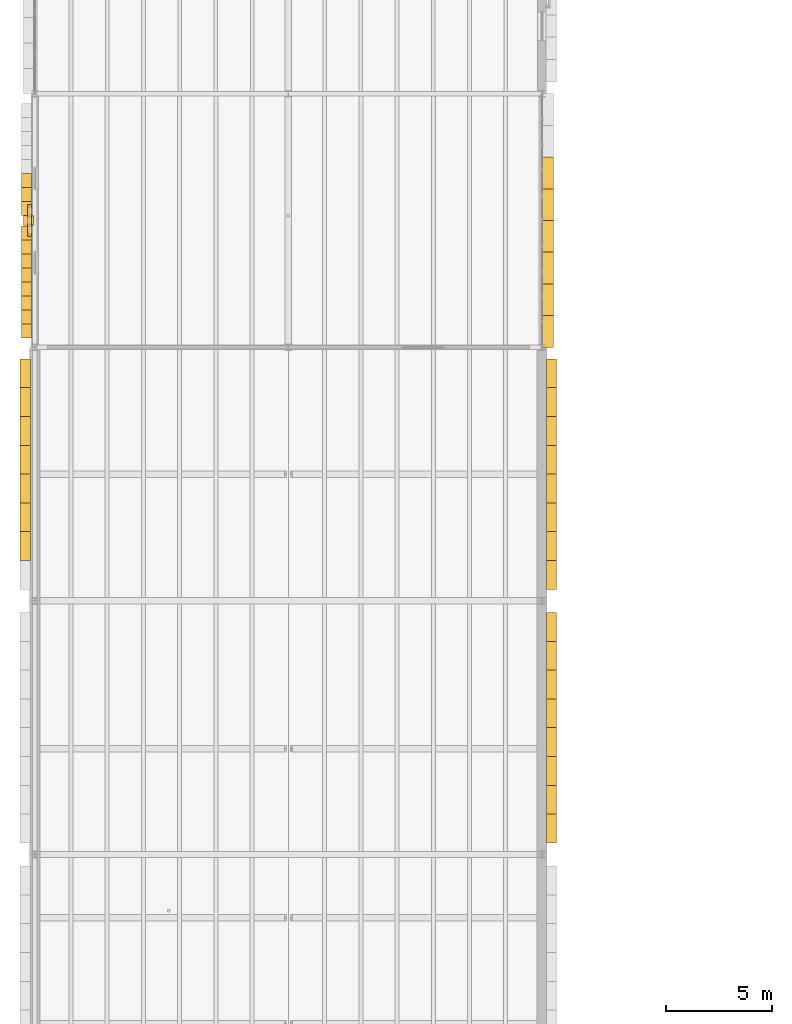
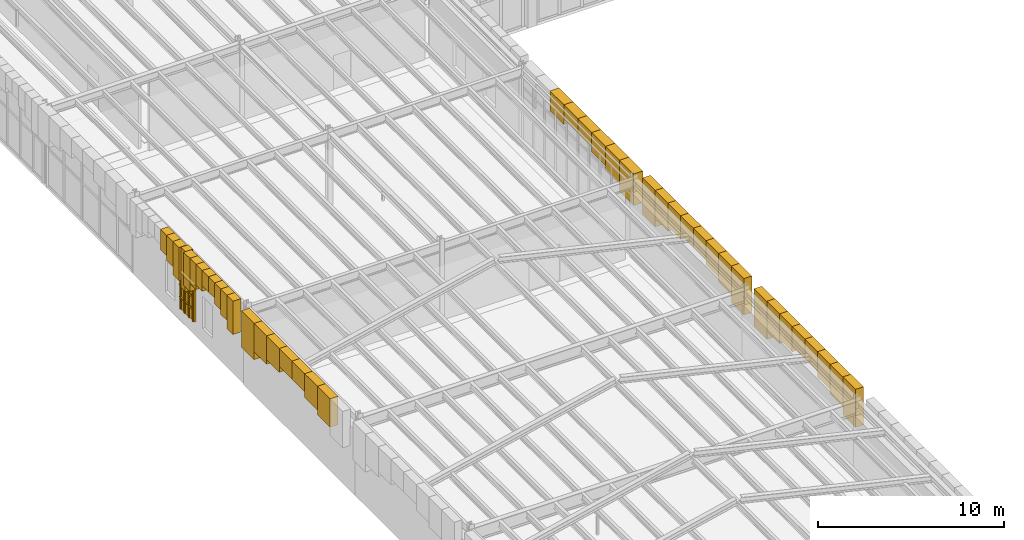
# One storey, part 74 of 100: 48 coverings, 1 shading device.
"""IFC4 building model written with IfcOpenShell, lengths in metres."""

from ifc_helpers import new_model, si_unit, direction, frame, origin, origin_2d, place, context, subcontext, project, spatial, polyline, rectangle, outline, extrude, material, layer, layer_set, type_object, element, save


model = new_model("IFC4")

# Units and contexts
model_context = context("Model", 3, precision=1e-05, world=origin(), true_north=direction((0.0, 1.0)))
body_context = subcontext(model_context, "Body", "Model", "MODEL_VIEW")
ifc_project = project(units=[si_unit("LENGTHUNIT", "METRE"), si_unit("AREAUNIT", "SQUARE_METRE"), si_unit("VOLUMEUNIT", "CUBIC_METRE"), si_unit("PLANEANGLEUNIT", "RADIAN"), si_unit("MASSUNIT", "GRAM", prefix="KILO")], contexts=[model_context])

# Site, building, storey
site_placement = place(None, origin())
site = spatial("IfcSite", under=ifc_project, at=site_placement, CompositionType="ELEMENT")
building_placement = place(site_placement, origin())
building = spatial("IfcBuilding", under=site, at=building_placement, Name="Zlatogorsky Bluff Art Gallery", CompositionType="ELEMENT")
storey_placement = place(building_placement, frame((0.0, 0.0, 5.39990234375)))
storey = spatial("IfcBuildingStorey", under=building, at=storey_placement, Name="L01", CompositionType="ELEMENT", Elevation=5.39990234375)

# Coverings
ifc_material_1 = material(Name="Honed Red Agra-Tone Quartzitic Sandstone", Category="masonry")
ifc_layer = layer(ifc_material_1, 0.1201171875)
ifc_layer_set = layer_set([ifc_layer], Name="Carved Sandstone Cladding CLD-02")
covering_type = type_object("IfcCoveringType", Name="Carved Sandstone Cladding CLD-02", PredefinedType="CLADDING", material=ifc_layer_set)
covering_1_placement = place(storey_placement, frame((0.0, 0.0, 3.50390625)))
element("IfcCovering", 1, at=covering_1_placement, inside=storey, type_object=covering_type, Name="Pointed Mughal arch voussoir spandrel WARCH-L01-W-00-05-A.2", PredefinedType="CLADDING", context=body_context, shape_type="SweptSolid", body=[
    extrude(outline(polyline([(-0.699951171875, 52.3125), (-0.699951171875, 53.675048828125), (-0.2099609375, 53.675048828125), (-0.2099609375, 52.3125), (-0.699951171875, 52.3125)])), origin(), (0.0, 0.0, 1.0), 1.856201171875),
])
covering_2_placement = place(storey_placement, frame((0.0, 0.0, 3.796875)))
element("IfcCovering", 2, at=covering_2_placement, inside=storey, type_object=covering_type, Name="Pointed Mughal arch voussoir spandrel WARCH-L01-W-00-05-A.3", PredefinedType="CLADDING", context=body_context, shape_type="SweptSolid", body=[
    extrude(outline(polyline([(-0.699951171875, 53.675048828125), (-0.699951171875, 55.03759765625), (-0.2099609375, 55.03759765625), (-0.2099609375, 53.675048828125), (-0.699951171875, 53.675048828125)])), origin(), (0.0, 0.0, 1.0), 1.563232421875),
])
covering_3_placement = place(storey_placement, frame((0.0, 0.0, 4.16552734375)))
element("IfcCovering", 3, at=covering_3_placement, inside=storey, type_object=covering_type, Name="Pointed Mughal arch voussoir spandrel WARCH-L01-W-00-05-A.4", PredefinedType="CLADDING", context=body_context, shape_type="SweptSolid", body=[
    extrude(outline(polyline([(-0.699951171875, 55.03759765625), (-0.699951171875, 56.39990234375), (-0.2099609375, 56.39990234375), (-0.2099609375, 55.03759765625), (-0.699951171875, 55.03759765625)])), origin(), (0.0, 0.0, 1.0), 1.194580078125),
])
covering_4_placement = place(storey_placement, frame((0.0, 0.0, 4.16552734375)))
element("IfcCovering", 4, at=covering_4_placement, inside=storey, type_object=covering_type, Name="Pointed Mughal arch voussoir spandrel WARCH-L01-W-00-05-A.5", PredefinedType="CLADDING", context=body_context, shape_type="SweptSolid", body=[
    extrude(outline(polyline([(-0.699951171875, 56.39990234375), (-0.699951171875, 57.762451171875), (-0.2099609375, 57.762451171875), (-0.2099609375, 56.39990234375), (-0.699951171875, 56.39990234375)])), origin(), (0.0, 0.0, 1.0), 1.194580078125),
])
covering_5_placement = place(storey_placement, frame((0.0, 0.0, 3.796875)))
element("IfcCovering", 5, at=covering_5_placement, inside=storey, type_object=covering_type, Name="Pointed Mughal arch voussoir spandrel WARCH-L01-W-00-05-A.6", PredefinedType="CLADDING", context=body_context, shape_type="SweptSolid", body=[
    extrude(outline(polyline([(-0.699951171875, 57.762451171875), (-0.699951171875, 59.125), (-0.2099609375, 59.125), (-0.2099609375, 57.762451171875), (-0.699951171875, 57.762451171875)])), origin(), (0.0, 0.0, 1.0), 1.563232421875),
])
covering_6_placement = place(storey_placement, frame((0.0, 0.0, 3.50390625)))
element("IfcCovering", 6, at=covering_6_placement, inside=storey, type_object=covering_type, Name="Pointed Mughal arch voussoir spandrel WARCH-L01-W-00-05-A.7", PredefinedType="CLADDING", context=body_context, shape_type="SweptSolid", body=[
    extrude(outline(polyline([(-0.699951171875, 59.125), (-0.699951171875, 60.487548828125), (-0.2099609375, 60.487548828125), (-0.2099609375, 59.125), (-0.699951171875, 59.125)])), origin(), (0.0, 0.0, 1.0), 1.856201171875),
])
covering_7_placement = place(storey_placement, frame((0.0, 0.0, 2.972412109375)))
element("IfcCovering", 7, at=covering_7_placement, inside=storey, type_object=covering_type, Name="Pointed Mughal arch voussoir spandrel WARCH-L01-W-00-05-A.8", PredefinedType="CLADDING", context=body_context, shape_type="SweptSolid", body=[
    extrude(outline(polyline([(-0.699951171875, 60.487548828125), (-0.699951171875, 61.85009765625), (-0.2099609375, 61.85009765625), (-0.2099609375, 60.487548828125), (-0.699951171875, 60.487548828125)])), origin(), (0.0, 0.0, 1.0), 2.3876953125),
])
covering_8_placement = place(storey_placement, frame((0.0, 0.0, 2.72998046875)))
element("IfcCovering", 8, at=covering_8_placement, inside=storey, type_object=covering_type, Name="Mughal blind-arch sandstone pilaster L01.W.0.6", PredefinedType="CLADDING", context=body_context, shape_type="SweptSolid", body=[
    extrude(outline(polyline([(-0.5400390625, 68.159912109375), (-0.06005859375, 68.159912109375), (-0.06005859375, 68.639892578125), (-0.5400390625, 68.639892578125), (-0.5400390625, 68.159912109375)])), origin(), (0.0, 0.0, 1.0), 2.630126953125),
])
covering_9_placement = place(storey_placement, frame((0.0, 0.0, 3.172607421875)))
element("IfcCovering", 9, at=covering_9_placement, inside=storey, type_object=covering_type, Name="Pointed Mughal arch voussoir spandrel WARCH-L01-W-00-06-A.1", PredefinedType="CLADDING", context=body_context, shape_type="SweptSolid", body=[
    extrude(outline(polyline([(-0.639892578125, 62.85009765625), (-0.639892578125, 63.512451171875), (-0.14990234375, 63.512451171875), (-0.14990234375, 62.85009765625), (-0.639892578125, 62.85009765625)])), origin(), (0.0, 0.0, 1.0), 2.1875),
])
covering_10_placement = place(storey_placement, frame((0.0, 0.0, 3.703857421875)))
element("IfcCovering", 10, at=covering_10_placement, inside=storey, type_object=covering_type, Name="Pointed Mughal arch voussoir spandrel WARCH-L01-W-00-06-A.2", PredefinedType="CLADDING", context=body_context, shape_type="SweptSolid", body=[
    extrude(outline(polyline([(-0.639892578125, 63.512451171875), (-0.639892578125, 64.175048828125), (-0.14990234375, 64.175048828125), (-0.14990234375, 63.512451171875), (-0.639892578125, 63.512451171875)])), origin(), (0.0, 0.0, 1.0), 1.65625),
])
covering_11_placement = place(storey_placement, frame((0.0, 0.0, 3.996826171875)))
element("IfcCovering", 11, at=covering_11_placement, inside=storey, type_object=covering_type, Name="Pointed Mughal arch voussoir spandrel WARCH-L01-W-00-06-A.3", PredefinedType="CLADDING", context=body_context, shape_type="SweptSolid", body=[
    extrude(outline(polyline([(-0.639892578125, 64.175048828125), (-0.639892578125, 64.83740234375), (-0.14990234375, 64.83740234375), (-0.14990234375, 64.175048828125), (-0.639892578125, 64.175048828125)])), origin(), (0.0, 0.0, 1.0), 1.36328125),
])
covering_12_placement = place(storey_placement, frame((0.0, 0.0, 4.365478515625)))
element("IfcCovering", 12, at=covering_12_placement, inside=storey, type_object=covering_type, Name="Pointed Mughal arch voussoir spandrel WARCH-L01-W-00-06-A.4", PredefinedType="CLADDING", context=body_context, shape_type="SweptSolid", body=[
    extrude(outline(polyline([(-0.639892578125, 64.83740234375), (-0.639892578125, 65.5), (-0.14990234375, 65.5), (-0.14990234375, 64.83740234375), (-0.639892578125, 64.83740234375)])), origin(), (0.0, 0.0, 1.0), 0.99462890625),
])
covering_13_placement = place(storey_placement, frame((0.0, 0.0, 4.365478515625)))
element("IfcCovering", 13, at=covering_13_placement, inside=storey, type_object=covering_type, Name="Pointed Mughal arch voussoir spandrel WARCH-L01-W-00-06-A.5", PredefinedType="CLADDING", context=body_context, shape_type="SweptSolid", body=[
    extrude(outline(polyline([(-0.639892578125, 65.5), (-0.639892578125, 66.16259765625), (-0.14990234375, 66.16259765625), (-0.14990234375, 65.5), (-0.639892578125, 65.5)])), origin(), (0.0, 0.0, 1.0), 0.99462890625),
])
covering_14_placement = place(storey_placement, frame((0.0, 0.0, 3.996826171875)))
element("IfcCovering", 14, at=covering_14_placement, inside=storey, type_object=covering_type, Name="Pointed Mughal arch voussoir spandrel WARCH-L01-W-00-06-A.6", PredefinedType="CLADDING", context=body_context, shape_type="SweptSolid", body=[
    extrude(outline(polyline([(-0.639892578125, 66.16259765625), (-0.639892578125, 66.824951171875), (-0.14990234375, 66.824951171875), (-0.14990234375, 66.16259765625), (-0.639892578125, 66.16259765625)])), origin(), (0.0, 0.0, 1.0), 1.36328125),
])
covering_15_placement = place(storey_placement, frame((0.0, 0.0, 3.703857421875)))
element("IfcCovering", 15, at=covering_15_placement, inside=storey, type_object=covering_type, Name="Pointed Mughal arch voussoir spandrel WARCH-L01-W-00-06-A.7", PredefinedType="CLADDING", context=body_context, shape_type="SweptSolid", body=[
    extrude(outline(polyline([(-0.639892578125, 66.824951171875), (-0.639892578125, 67.487548828125), (-0.14990234375, 67.487548828125), (-0.14990234375, 66.824951171875), (-0.639892578125, 66.824951171875)])), origin(), (0.0, 0.0, 1.0), 1.65625),
])
covering_16_placement = place(storey_placement, frame((0.0, 0.0, 3.172607421875)))
element("IfcCovering", 16, at=covering_16_placement, inside=storey, type_object=covering_type, Name="Pointed Mughal arch voussoir spandrel WARCH-L01-W-00-06-A.8", PredefinedType="CLADDING", context=body_context, shape_type="SweptSolid", body=[
    extrude(outline(polyline([(-0.639892578125, 67.487548828125), (-0.639892578125, 68.14990234375), (-0.14990234375, 68.14990234375), (-0.14990234375, 67.487548828125), (-0.639892578125, 67.487548828125)])), origin(), (0.0, 0.0, 1.0), 2.1875),
])
covering_17_placement = place(storey_placement, frame((0.0, 0.0, 3.172607421875)))
element("IfcCovering", 17, at=covering_17_placement, inside=storey, type_object=covering_type, Name="Pointed Mughal arch voussoir spandrel WARCH-L01-W-00-06-B.1", PredefinedType="CLADDING", context=body_context, shape_type="SweptSolid", body=[
    extrude(outline(polyline([(-0.639892578125, 68.64990234375), (-0.639892578125, 69.3125), (-0.14990234375, 69.3125), (-0.14990234375, 68.64990234375), (-0.639892578125, 68.64990234375)])), origin(), (0.0, 0.0, 1.0), 2.1875),
])
covering_18_placement = place(storey_placement, frame((0.0, 0.0, 3.703857421875)))
element("IfcCovering", 18, at=covering_18_placement, inside=storey, type_object=covering_type, Name="Pointed Mughal arch voussoir spandrel WARCH-L01-W-00-06-B.2", PredefinedType="CLADDING", context=body_context, shape_type="SweptSolid", body=[
    extrude(outline(polyline([(-0.639892578125, 69.3125), (-0.639892578125, 69.97509765625), (-0.14990234375, 69.97509765625), (-0.14990234375, 69.3125), (-0.639892578125, 69.3125)])), origin(), (0.0, 0.0, 1.0), 1.65625),
])
covering_19_placement = place(storey_placement, frame((0.0, 0.0, 3.996826171875)))
element("IfcCovering", 19, at=covering_19_placement, inside=storey, type_object=covering_type, Name="Pointed Mughal arch voussoir spandrel WARCH-L01-W-00-06-B.3", PredefinedType="CLADDING", context=body_context, shape_type="SweptSolid", body=[
    extrude(outline(polyline([(-0.639892578125, 69.97509765625), (-0.639892578125, 70.637451171875), (-0.14990234375, 70.637451171875), (-0.14990234375, 69.97509765625), (-0.639892578125, 69.97509765625)])), origin(), (0.0, 0.0, 1.0), 1.36328125),
])
covering_20_placement = place(storey_placement, frame((0.0, 0.0, 0.9501953125)))
element("IfcCovering", 20, at=covering_20_placement, inside=storey, type_object=covering_type, Name="Pierced sandstone jali lattice bar L01.W.0.6", PredefinedType="CLADDING", context=body_context, shape_type="SweptSolid", body=[
    extrude(outline(polyline([(-0.340087890625, 67.679931640625), (-0.340087890625, 67.77001953125), (-0.14990234375, 67.77001953125), (-0.14990234375, 67.679931640625), (-0.340087890625, 67.679931640625)])), origin(), (0.0, 0.0, 1.0), 3.199951171875),
])
covering_21_placement = place(storey_placement, frame((0.0, 0.0, 0.9501953125)))
element("IfcCovering", 21, at=covering_21_placement, inside=storey, type_object=covering_type, Name="Pierced sandstone jali lattice bar L01.W.0.6", PredefinedType="CLADDING", context=body_context, shape_type="SweptSolid", body=[
    extrude(outline(polyline([(-0.340087890625, 68.1298828125), (-0.340087890625, 68.219970703125), (-0.14990234375, 68.219970703125), (-0.14990234375, 68.1298828125), (-0.340087890625, 68.1298828125)])), origin(), (0.0, 0.0, 1.0), 3.199951171875),
])
covering_22_placement = place(storey_placement, frame((0.0, 0.0, 0.9501953125)))
element("IfcCovering", 22, at=covering_22_placement, inside=storey, type_object=covering_type, Name="Pierced sandstone jali lattice bar L01.W.0.6", PredefinedType="CLADDING", context=body_context, shape_type="SweptSolid", body=[
    extrude(outline(polyline([(-0.340087890625, 68.580078125), (-0.340087890625, 68.669921875), (-0.14990234375, 68.669921875), (-0.14990234375, 68.580078125), (-0.340087890625, 68.580078125)])), origin(), (0.0, 0.0, 1.0), 3.199951171875),
])
covering_23_placement = place(storey_placement, frame((0.0, 0.0, 0.9501953125)))
element("IfcCovering", 23, at=covering_23_placement, inside=storey, type_object=covering_type, Name="Pierced sandstone jali lattice bar L01.W.0.6", PredefinedType="CLADDING", context=body_context, shape_type="SweptSolid", body=[
    extrude(outline(polyline([(-0.340087890625, 69.030029296875), (-0.340087890625, 69.1201171875), (-0.14990234375, 69.1201171875), (-0.14990234375, 69.030029296875), (-0.340087890625, 69.030029296875)])), origin(), (0.0, 0.0, 1.0), 3.199951171875),
])
covering_24_placement = place(storey_placement, frame((0.0, 0.0, 1.710205078125)))
element("IfcCovering", 24, at=covering_24_placement, inside=storey, type_object=covering_type, Name="Pierced sandstone jali lattice transom L01.W.0.6", PredefinedType="CLADDING", context=body_context, shape_type="SweptSolid", body=[
    extrude(outline(polyline([(-0.340087890625, 67.64990234375), (-0.340087890625, 69.14990234375), (-0.14990234375, 69.14990234375), (-0.14990234375, 67.64990234375), (-0.340087890625, 67.64990234375)])), origin(), (0.0, 0.0, 1.0), 0.079833984375),
])
for number, where, name in (
    (25, (0.0, 0.0, 2.510009765625), "Pierced sandstone jali lattice transom L01.W.0.6"),
    (26, (0.0, 0.0, 3.31005859375), "Pierced sandstone jali lattice transom L01.W.0.6"),
):
    element("IfcCovering", number, at=place(storey_placement, frame(where)), inside=storey, type_object=covering_type, Name=name, PredefinedType="CLADDING", context=body_context, shape_type="SweptSolid", body=[
        extrude(outline(polyline([(-0.340087890625, 67.64990234375), (-0.340087890625, 69.14990234375), (-0.14990234375, 69.14990234375), (-0.14990234375, 67.64990234375), (-0.340087890625, 67.64990234375)])), origin(), (0.0, 0.0, 1.0), 0.080078125),
    ])
covering_25_placement = place(storey_placement, frame((0.0, 0.0, 2.87255859375)))
element("IfcCovering", 27, at=covering_25_placement, inside=storey, type_object=covering_type, Name="Pointed Mughal arch voussoir spandrel WARCH-L01-E-01-04-A.1", PredefinedType="CLADDING", context=body_context, shape_type="SweptSolid", body=[
    extrude(outline(polyline([(24.2099609375, 38.949951171875), (24.2099609375, 40.3125), (24.699951171875, 40.3125), (24.699951171875, 38.949951171875), (24.2099609375, 38.949951171875)])), origin(), (0.0, 0.0, 1.0), 2.487548828125),
])
covering_26_placement = place(storey_placement, frame((0.0, 0.0, 3.40380859375)))
element("IfcCovering", 28, at=covering_26_placement, inside=storey, type_object=covering_type, Name="Pointed Mughal arch voussoir spandrel WARCH-L01-E-01-04-A.2", PredefinedType="CLADDING", context=body_context, shape_type="SweptSolid", body=[
    extrude(outline(polyline([(24.2099609375, 40.3125), (24.2099609375, 41.675048828125), (24.699951171875, 41.675048828125), (24.699951171875, 40.3125), (24.2099609375, 40.3125)])), origin(), (0.0, 0.0, 1.0), 1.956298828125),
])
covering_27_placement = place(storey_placement, frame((0.0, 0.0, 3.69677734375)))
element("IfcCovering", 29, at=covering_27_placement, inside=storey, type_object=covering_type, Name="Pointed Mughal arch voussoir spandrel WARCH-L01-E-01-04-A.3", PredefinedType="CLADDING", context=body_context, shape_type="SweptSolid", body=[
    extrude(outline(polyline([(24.2099609375, 41.675048828125), (24.2099609375, 43.03759765625), (24.699951171875, 43.03759765625), (24.699951171875, 41.675048828125), (24.2099609375, 41.675048828125)])), origin(), (0.0, 0.0, 1.0), 1.663330078125),
])
covering_28_placement = place(storey_placement, frame((0.0, 0.0, 4.0654296875)))
element("IfcCovering", 30, at=covering_28_placement, inside=storey, type_object=covering_type, Name="Pointed Mughal arch voussoir spandrel WARCH-L01-E-01-04-A.4", PredefinedType="CLADDING", context=body_context, shape_type="SweptSolid", body=[
    extrude(outline(polyline([(24.2099609375, 43.03759765625), (24.2099609375, 44.39990234375), (24.699951171875, 44.39990234375), (24.699951171875, 43.03759765625), (24.2099609375, 43.03759765625)])), origin(), (0.0, 0.0, 1.0), 1.294677734375),
])
covering_29_placement = place(storey_placement, frame((0.0, 0.0, 4.0654296875)))
element("IfcCovering", 31, at=covering_29_placement, inside=storey, type_object=covering_type, Name="Pointed Mughal arch voussoir spandrel WARCH-L01-E-01-04-A.5", PredefinedType="CLADDING", context=body_context, shape_type="SweptSolid", body=[
    extrude(outline(polyline([(24.2099609375, 44.39990234375), (24.2099609375, 45.762451171875), (24.699951171875, 45.762451171875), (24.699951171875, 44.39990234375), (24.2099609375, 44.39990234375)])), origin(), (0.0, 0.0, 1.0), 1.294677734375),
])
covering_30_placement = place(storey_placement, frame((0.0, 0.0, 3.69677734375)))
element("IfcCovering", 32, at=covering_30_placement, inside=storey, type_object=covering_type, Name="Pointed Mughal arch voussoir spandrel WARCH-L01-E-01-04-A.6", PredefinedType="CLADDING", context=body_context, shape_type="SweptSolid", body=[
    extrude(outline(polyline([(24.2099609375, 45.762451171875), (24.2099609375, 47.125), (24.699951171875, 47.125), (24.699951171875, 45.762451171875), (24.2099609375, 45.762451171875)])), origin(), (0.0, 0.0, 1.0), 1.663330078125),
])
covering_31_placement = place(storey_placement, frame((0.0, 0.0, 3.40380859375)))
element("IfcCovering", 33, at=covering_31_placement, inside=storey, type_object=covering_type, Name="Pointed Mughal arch voussoir spandrel WARCH-L01-E-01-04-A.7", PredefinedType="CLADDING", context=body_context, shape_type="SweptSolid", body=[
    extrude(outline(polyline([(24.2099609375, 47.125), (24.2099609375, 48.487548828125), (24.699951171875, 48.487548828125), (24.699951171875, 47.125), (24.2099609375, 47.125)])), origin(), (0.0, 0.0, 1.0), 1.956298828125),
])
covering_32_placement = place(storey_placement, frame((0.0, 0.0, 2.87255859375)))
element("IfcCovering", 34, at=covering_32_placement, inside=storey, type_object=covering_type, Name="Pointed Mughal arch voussoir spandrel WARCH-L01-E-01-04-A.8", PredefinedType="CLADDING", context=body_context, shape_type="SweptSolid", body=[
    extrude(outline(polyline([(24.2099609375, 48.487548828125), (24.2099609375, 49.85009765625), (24.699951171875, 49.85009765625), (24.699951171875, 48.487548828125), (24.2099609375, 48.487548828125)])), origin(), (0.0, 0.0, 1.0), 2.487548828125),
])
covering_33_placement = place(storey_placement, frame((0.0, 0.0, 2.972412109375)))
element("IfcCovering", 35, at=covering_33_placement, inside=storey, type_object=covering_type, Name="Pointed Mughal arch voussoir spandrel WARCH-L01-E-01-05-A.1", PredefinedType="CLADDING", context=body_context, shape_type="SweptSolid", body=[
    extrude(outline(polyline([(24.2099609375, 50.949951171875), (24.2099609375, 52.3125), (24.699951171875, 52.3125), (24.699951171875, 50.949951171875), (24.2099609375, 50.949951171875)])), origin(), (0.0, 0.0, 1.0), 2.3876953125),
])
covering_34_placement = place(storey_placement, frame((0.0, 0.0, 3.50390625)))
element("IfcCovering", 36, at=covering_34_placement, inside=storey, type_object=covering_type, Name="Pointed Mughal arch voussoir spandrel WARCH-L01-E-01-05-A.2", PredefinedType="CLADDING", context=body_context, shape_type="SweptSolid", body=[
    extrude(outline(polyline([(24.2099609375, 52.3125), (24.2099609375, 53.675048828125), (24.699951171875, 53.675048828125), (24.699951171875, 52.3125), (24.2099609375, 52.3125)])), origin(), (0.0, 0.0, 1.0), 1.856201171875),
])
covering_35_placement = place(storey_placement, frame((0.0, 0.0, 3.796875)))
element("IfcCovering", 37, at=covering_35_placement, inside=storey, type_object=covering_type, Name="Pointed Mughal arch voussoir spandrel WARCH-L01-E-01-05-A.3", PredefinedType="CLADDING", context=body_context, shape_type="SweptSolid", body=[
    extrude(outline(polyline([(24.2099609375, 53.675048828125), (24.2099609375, 55.03759765625), (24.699951171875, 55.03759765625), (24.699951171875, 53.675048828125), (24.2099609375, 53.675048828125)])), origin(), (0.0, 0.0, 1.0), 1.563232421875),
])
covering_36_placement = place(storey_placement, frame((0.0, 0.0, 4.16552734375)))
element("IfcCovering", 38, at=covering_36_placement, inside=storey, type_object=covering_type, Name="Pointed Mughal arch voussoir spandrel WARCH-L01-E-01-05-A.4", PredefinedType="CLADDING", context=body_context, shape_type="SweptSolid", body=[
    extrude(outline(polyline([(24.2099609375, 55.03759765625), (24.2099609375, 56.39990234375), (24.699951171875, 56.39990234375), (24.699951171875, 55.03759765625), (24.2099609375, 55.03759765625)])), origin(), (0.0, 0.0, 1.0), 1.194580078125),
])
covering_37_placement = place(storey_placement, frame((0.0, 0.0, 4.16552734375)))
element("IfcCovering", 39, at=covering_37_placement, inside=storey, type_object=covering_type, Name="Pointed Mughal arch voussoir spandrel WARCH-L01-E-01-05-A.5", PredefinedType="CLADDING", context=body_context, shape_type="SweptSolid", body=[
    extrude(outline(polyline([(24.2099609375, 56.39990234375), (24.2099609375, 57.762451171875), (24.699951171875, 57.762451171875), (24.699951171875, 56.39990234375), (24.2099609375, 56.39990234375)])), origin(), (0.0, 0.0, 1.0), 1.194580078125),
])
covering_38_placement = place(storey_placement, frame((0.0, 0.0, 3.796875)))
element("IfcCovering", 40, at=covering_38_placement, inside=storey, type_object=covering_type, Name="Pointed Mughal arch voussoir spandrel WARCH-L01-E-01-05-A.6", PredefinedType="CLADDING", context=body_context, shape_type="SweptSolid", body=[
    extrude(outline(polyline([(24.2099609375, 57.762451171875), (24.2099609375, 59.125), (24.699951171875, 59.125), (24.699951171875, 57.762451171875), (24.2099609375, 57.762451171875)])), origin(), (0.0, 0.0, 1.0), 1.563232421875),
])
covering_39_placement = place(storey_placement, frame((0.0, 0.0, 3.50390625)))
element("IfcCovering", 41, at=covering_39_placement, inside=storey, type_object=covering_type, Name="Pointed Mughal arch voussoir spandrel WARCH-L01-E-01-05-A.7", PredefinedType="CLADDING", context=body_context, shape_type="SweptSolid", body=[
    extrude(outline(polyline([(24.2099609375, 59.125), (24.2099609375, 60.487548828125), (24.699951171875, 60.487548828125), (24.699951171875, 59.125), (24.2099609375, 59.125)])), origin(), (0.0, 0.0, 1.0), 1.856201171875),
])
covering_40_placement = place(storey_placement, frame((0.0, 0.0, 2.972412109375)))
element("IfcCovering", 42, at=covering_40_placement, inside=storey, type_object=covering_type, Name="Pointed Mughal arch voussoir spandrel WARCH-L01-E-01-05-A.8", PredefinedType="CLADDING", context=body_context, shape_type="SweptSolid", body=[
    extrude(outline(polyline([(24.2099609375, 60.487548828125), (24.2099609375, 61.85009765625), (24.699951171875, 61.85009765625), (24.699951171875, 60.487548828125), (24.2099609375, 60.487548828125)])), origin(), (0.0, 0.0, 1.0), 2.3876953125),
])
covering_41_placement = place(storey_placement, frame((0.0, 0.0, 3.2978515625)))
element("IfcCovering", 43, at=covering_41_placement, inside=storey, type_object=covering_type, Name="Pointed Mughal arch voussoir spandrel ARCH-CW-L01-E-01-06.1", PredefinedType="CLADDING", context=body_context, shape_type="SweptSolid", body=[
    extrude(outline(polyline([(23.969970703125, 62.39990234375), (23.969970703125, 63.89990234375), (24.5400390625, 63.89990234375), (24.5400390625, 62.39990234375), (23.969970703125, 62.39990234375)])), origin(), (0.0, 0.0, 1.0), 2.062255859375),
])
covering_42_placement = place(storey_placement, frame((0.0, 0.0, 3.7998046875)))
element("IfcCovering", 44, at=covering_42_placement, inside=storey, type_object=covering_type, Name="Pointed Mughal arch voussoir spandrel ARCH-CW-L01-E-01-06.2", PredefinedType="CLADDING", context=body_context, shape_type="SweptSolid", body=[
    extrude(outline(polyline([(23.969970703125, 63.89990234375), (23.969970703125, 65.39990234375), (24.5400390625, 65.39990234375), (24.5400390625, 63.89990234375), (23.969970703125, 63.89990234375)])), origin(), (0.0, 0.0, 1.0), 1.560302734375),
])
covering_43_placement = place(storey_placement, frame((0.0, 0.0, 4.076416015625)))
element("IfcCovering", 45, at=covering_43_placement, inside=storey, type_object=covering_type, Name="Pointed Mughal arch voussoir spandrel ARCH-CW-L01-E-01-06.3", PredefinedType="CLADDING", context=body_context, shape_type="SweptSolid", body=[
    extrude(outline(polyline([(23.969970703125, 65.39990234375), (23.969970703125, 66.89990234375), (24.5400390625, 66.89990234375), (24.5400390625, 65.39990234375), (23.969970703125, 65.39990234375)])), origin(), (0.0, 0.0, 1.0), 1.28369140625),
])
covering_44_placement = place(storey_placement, frame((0.0, 0.0, 4.424560546875)))
element("IfcCovering", 46, at=covering_44_placement, inside=storey, type_object=covering_type, Name="Pointed Mughal arch voussoir spandrel ARCH-CW-L01-E-01-06.4", PredefinedType="CLADDING", context=body_context, shape_type="SweptSolid", body=[
    extrude(outline(polyline([(23.969970703125, 66.89990234375), (23.969970703125, 68.39990234375), (24.5400390625, 68.39990234375), (24.5400390625, 66.89990234375), (23.969970703125, 66.89990234375)])), origin(), (0.0, 0.0, 1.0), 0.935546875),
])
covering_45_placement = place(storey_placement, frame((0.0, 0.0, 4.424560546875)))
element("IfcCovering", 47, at=covering_45_placement, inside=storey, type_object=covering_type, Name="Pointed Mughal arch voussoir spandrel ARCH-CW-L01-E-01-06.5", PredefinedType="CLADDING", context=body_context, shape_type="SweptSolid", body=[
    extrude(outline(polyline([(23.969970703125, 68.39990234375), (23.969970703125, 69.89990234375), (24.5400390625, 69.89990234375), (24.5400390625, 68.39990234375), (23.969970703125, 68.39990234375)])), origin(), (0.0, 0.0, 1.0), 0.935546875),
])
covering_46_placement = place(storey_placement, frame((0.0, 0.0, 4.076416015625)))
element("IfcCovering", 48, at=covering_46_placement, inside=storey, type_object=covering_type, Name="Pointed Mughal arch voussoir spandrel ARCH-CW-L01-E-01-06.6", PredefinedType="CLADDING", context=body_context, shape_type="SweptSolid", body=[
    extrude(outline(polyline([(23.969970703125, 69.89990234375), (23.969970703125, 71.39990234375), (24.5400390625, 71.39990234375), (24.5400390625, 69.89990234375), (23.969970703125, 69.89990234375)])), origin(), (0.0, 0.0, 1.0), 1.28369140625),
])

# Shading device
ifc_material_2 = material(Name="CNC-Pierced Red Quartzitic Sandstone Jali", Category="masonry")
shading_device_type = type_object("IfcShadingDeviceType", Name="Pierced Stone Jali Screen JAL-04", PredefinedType="JALOUSIE", material=ifc_material_2)
shading_device_placement = place(storey_placement, frame((-0.219970703125, 68.39990234375, 0.9501953125), z_axis=(0.0, 0.0, 1.0), x_axis=(1.0, 0.0, 0.0)))
element("IfcShadingDevice", 49, at=shading_device_placement, inside=storey, type_object=shading_device_type, Name="Pierced stone jali screen JAL-04", PredefinedType="JALOUSIE", context=body_context, shape_type="SweptSolid", body=[
    extrude(rectangle(XDim=0.1201171875, YDim=1.5, at=origin_2d()), origin(), (0.0, 0.0, 1.0), 3.199951171875),
])

save(model, "model.ifc")
